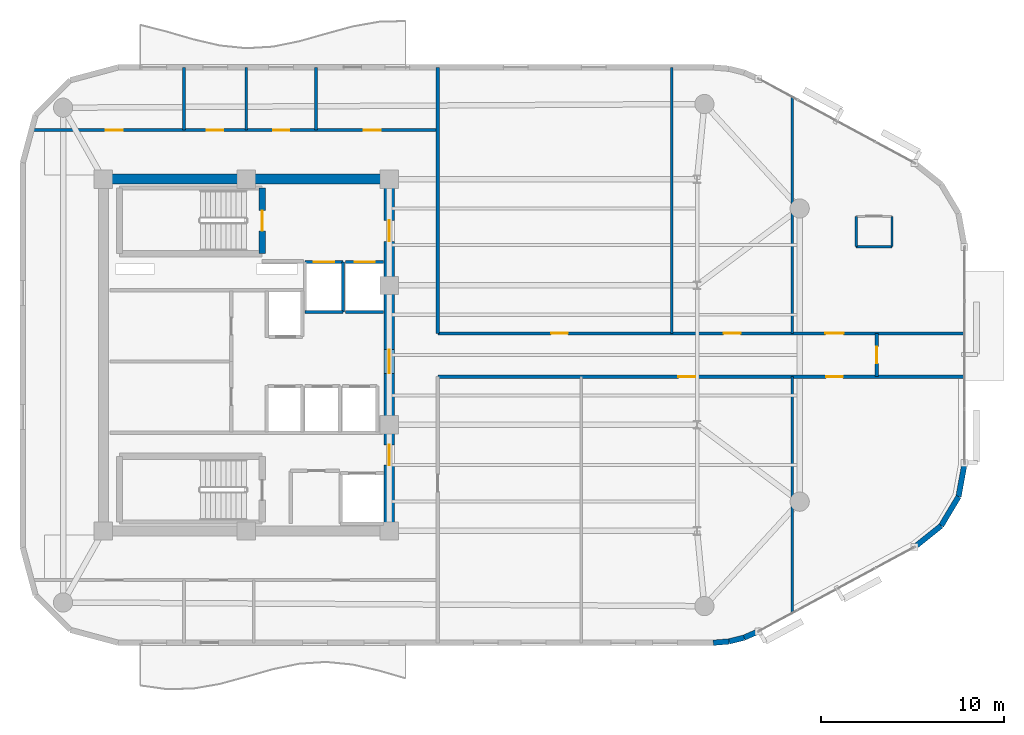
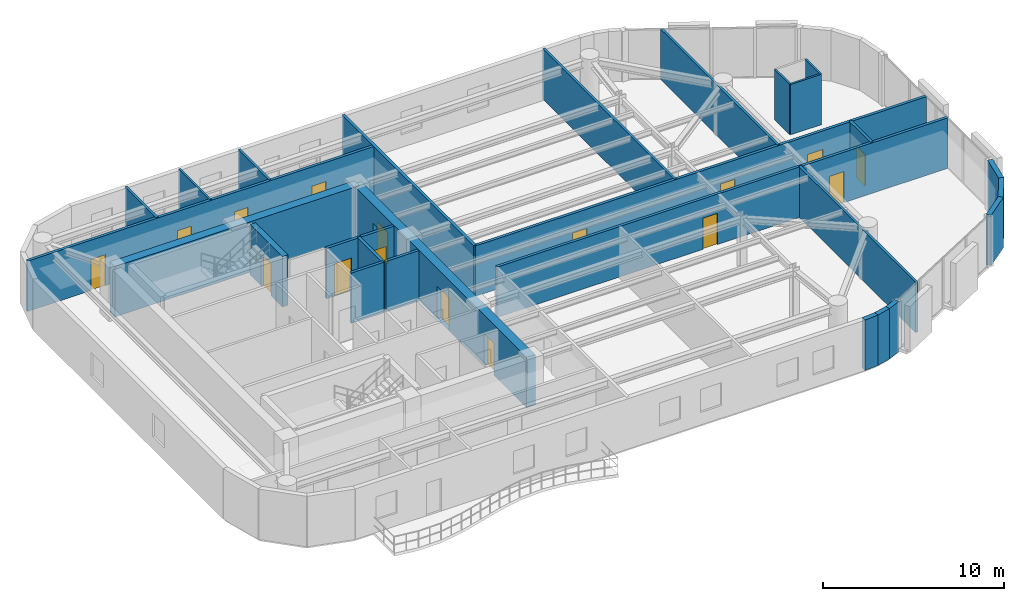
# One storey, part 10 of 13: 28 walls, 16 doors, 16 openings.
"""IFC4 building model written with IfcOpenShell, lengths in metres."""

from ifc_helpers import new_model, si_unit, direction, frame, frame_2d, origin, place, context, subcontext, project, spatial, rectangle, extrude, material, layer, layer_set, type_object, element, fill, save


model = new_model("IFC4")

# Units and contexts
model_context = context("Model", 3, precision=1e-05, world=origin(), true_north=direction((0.0, 1.0)))
body_context = subcontext(model_context, "Body", "Model", "MODEL_VIEW")
ifc_project = project(units=[si_unit("LENGTHUNIT", "METRE"), si_unit("AREAUNIT", "SQUARE_METRE"), si_unit("VOLUMEUNIT", "CUBIC_METRE"), si_unit("PLANEANGLEUNIT", "RADIAN"), si_unit("MASSUNIT", "GRAM", prefix="KILO")], contexts=[model_context])

# Site, building, storey
site_placement = place(None, origin())
site = spatial("IfcSite", under=ifc_project, at=site_placement, CompositionType="ELEMENT")
building_placement = place(site_placement, origin())
building = spatial("IfcBuilding", under=site, at=building_placement, Name="An Khanh Terracotta Commons", CompositionType="ELEMENT")
storey_placement = place(building_placement, frame((0.0, 0.0, 212.10009765625)))
storey = spatial("IfcBuildingStorey", under=building, at=storey_placement, Name="L55", CompositionType="ELEMENT", Elevation=212.10009765625)

# Wall
ifc_material_1 = material(Name="Concrete C50/60", Category="concrete")
ifc_layer_1 = layer(ifc_material_1, 0.550048828125, Name="Concrete C50/60")
ifc_layer_set_1 = layer_set([ifc_layer_1], Name="Concrete C50/60")
wall_type_1 = type_object("IfcWallType", Name="WALL-CORE-550", PredefinedType="SHEAR", material=ifc_layer_set_1)
wall_1_placement = place(storey_placement, frame((21.60009765625, 33.60009765625, 0.0), z_axis=(0.0, 0.0, 1.0), x_axis=(1.0, 0.0, 0.0)))
element("IfcWall", 1, at=wall_1_placement, inside=storey, type_object=wall_type_1, Name="L55 Core Wall CWALL-L55-N", PredefinedType="SHEAR", context=body_context, shape_type="SweptSolid", body=[
    extrude(rectangle(XDim=15.599853515625, YDim=0.550048828125, at=frame_2d((7.7998046875, 0.0))), origin(), (0.0, 0.0, 1.0), 3.39990234375),
])

# Wall, openings, doors
wall_2_placement = place(storey_placement, frame((37.199951171875, 14.39990234375, 0.0), z_axis=(0.0, 0.0, 1.0), x_axis=(0.0, 1.0, 0.0)))
wall_2 = element("IfcWall", 2, at=wall_2_placement, inside=storey, type_object=wall_type_1, Name="L55 Core Wall CWALL-L55-E", PredefinedType="SHEAR", context=body_context, shape_type="SweptSolid", body=[
    extrude(rectangle(XDim=19.2001953125, YDim=0.550048828125, at=frame_2d((9.60009765625, 0.0))), origin(), (0.0, 0.0, 1.0), 3.39990234375),
])
opening_1_placement = place(wall_2_placement, frame((15.800048828125, 0.0, 0.0)))
opening_1 = element("IfcOpeningElement", 3, at=opening_1_placement, cuts=wall_2, Name="Opening D-FFL", PredefinedType="OPENING", context=body_context, shape_type="SweptSolid", body=[
    extrude(rectangle(XDim=1.14990234375, YDim=2.14990234375, at=frame_2d((0.574951171875, 1.074951171875))), frame((0.0, 0.284912109375, 0.0), z_axis=(0.0, -1.0, 0.0), x_axis=(1.0, 0.0, 0.0)), (0.0, 0.0, 1.0), 0.570068359375),
])
opening_2_placement = place(wall_2_placement, frame((3.60009765625, 0.0, 0.0)))
opening_2 = element("IfcOpeningElement", 4, at=opening_2_placement, cuts=wall_2, Name="Opening D-ST", PredefinedType="OPENING", context=body_context, shape_type="SweptSolid", body=[
    extrude(rectangle(XDim=1.10009765625, YDim=2.14990234375, at=frame_2d((0.550048828125, 1.074951171875))), frame((0.0, 0.284912109375, 0.0), z_axis=(0.0, -1.0, 0.0), x_axis=(1.0, 0.0, 0.0)), (0.0, 0.0, 1.0), 0.570068359375),
])
opening_3_placement = place(wall_2_placement, frame((8.60009765625, 0.0, 0.0)))
opening_3 = element("IfcOpeningElement", 5, at=opening_3_placement, cuts=wall_2, Name="Opening D-COR", PredefinedType="OPENING", context=body_context, shape_type="SweptSolid", body=[
    extrude(rectangle(XDim=1.300048828125, YDim=2.199951171875, at=frame_2d((0.64990234375, 1.10009765625))), frame((0.0, 0.284912109375, 0.0), z_axis=(0.0, -1.0, 0.0), x_axis=(1.0, 0.0, 0.0)), (0.0, 0.0, 1.0), 0.570068359375),
])
ifc_material_2 = material(Name="Fire-Rated Glazed Steel Double Door", Category="steel")
door_type_1 = type_object("IfcDoorType", Name="DOOR-CORR-1300", OperationType="NOTDEFINED", PredefinedType="DOOR", material=ifc_material_2)
door_1_placement = place(opening_3_placement, origin())
door_1 = element("IfcDoor", 6, at=door_1_placement, inside=storey, type_object=door_type_1, Name="L55 Passenger Lift Lobby Double Door", OperationType="DOUBLE_DOOR_SINGLE_SWING", OverallHeight=2.199951171875, OverallWidth=1.300048828125, PredefinedType="DOOR", context=body_context, shape_type="SweptSolid", body=[
    extrude(rectangle(XDim=1.300048828125, YDim=2.199951171875, at=frame_2d((0.64990234375, 1.10009765625))), frame((0.0, 0.02490234375, 0.0), z_axis=(0.0, -1.0, 0.0), x_axis=(1.0, 0.0, 0.0)), (0.0, 0.0, 1.0), 0.050048828125),
])
fill(opening_3, door_1)
ifc_material_3 = material(Name="Fire-Rated Steel Leaf and Vision Panel", Category="steel")
door_type_2 = type_object("IfcDoorType", Name="DOOR-FFL-1150", OperationType="NOTDEFINED", PredefinedType="DOOR", material=ifc_material_3)
door_2_placement = place(opening_1_placement, origin())
door_2 = element("IfcDoor", 7, at=door_2_placement, inside=storey, type_object=door_type_2, Name="L55 Firefighting Lift Lobby Fire Door", OperationType="SINGLE_SWING_LEFT", OverallHeight=2.14990234375, OverallWidth=1.14990234375, PredefinedType="DOOR", context=body_context, shape_type="SweptSolid", body=[
    extrude(rectangle(XDim=1.14990234375, YDim=2.14990234375, at=frame_2d((0.574951171875, 1.074951171875))), frame((0.0, 0.02490234375, 0.0), z_axis=(0.0, -1.0, 0.0), x_axis=(1.0, 0.0, 0.0)), (0.0, 0.0, 1.0), 0.050048828125),
])
fill(opening_1, door_2)
ifc_material_4 = material(Name="Fire-Rated Steel Leaf and Frame", Category="steel")
door_type_3 = type_object("IfcDoorType", Name="DOOR-STAIR-1100", OperationType="NOTDEFINED", PredefinedType="DOOR", material=ifc_material_4)
door_3_placement = place(opening_2_placement, origin())
door_3 = element("IfcDoor", 8, at=door_3_placement, inside=storey, type_object=door_type_3, Name="L55 South Stair Lobby Fire Door", OperationType="SINGLE_SWING_RIGHT", OverallHeight=2.14990234375, OverallWidth=1.10009765625, PredefinedType="DOOR", context=body_context, shape_type="SweptSolid", body=[
    extrude(rectangle(XDim=1.10009765625, YDim=2.14990234375, at=frame_2d((0.550048828125, 1.074951171875))), frame((0.0, 0.02490234375, 0.0), z_axis=(0.0, -1.0, 0.0), x_axis=(1.0, 0.0, 0.0)), (0.0, 0.0, 1.0), 0.050048828125),
])
fill(opening_2, door_3)

# Wall, opening, door
ifc_material_5 = material(Name="Fire-Rated Gypsum Board on Steel Stud", Category="steel")
ifc_layer_2 = layer(ifc_material_5, 0.179931640625, Name="Fire-Rated Gypsum Board on Steel Stud")
ifc_layer_set_2 = layer_set([ifc_layer_2], Name="Fire-Rated Gypsum Board on Steel Stud")
wall_type_2 = type_object("IfcWallType", Name="WALL-CORR-180", PredefinedType="PARTITIONING", material=ifc_layer_set_2)
wall_3_placement = place(storey_placement, frame((32.60009765625, 29.080078125, 0.0), z_axis=(0.0, 0.0, 1.0), x_axis=(1.0, 0.0, 0.0)))
wall_3 = element("IfcWall", 9, at=wall_3_placement, inside=storey, type_object=wall_type_2, Name="L55 Core Wall LSH-L55-FFL-01-N", PredefinedType="PARTITIONING", context=body_context, shape_type="SweptSolid", body=[
    extrude(rectangle(XDim=2.079833984375, YDim=0.179931640625, at=frame_2d((1.0400390625, 0.0))), origin(), (0.0, 0.0, 1.0), 3.39990234375),
])
opening_4_placement = place(wall_3_placement, frame((0.489990234375, 0.0, 0.0)))
opening_4 = element("IfcOpeningElement", 10, at=opening_4_placement, cuts=wall_3, Name="Opening LD-FFL-01-L55", PredefinedType="OPENING", context=body_context, shape_type="SweptSolid", body=[
    extrude(rectangle(XDim=1.10009765625, YDim=2.199951171875, at=frame_2d((0.550048828125, 1.10009765625))), frame((0.0, 0.099853515625, 0.0), z_axis=(0.0, -1.0, 0.0), x_axis=(1.0, 0.0, 0.0)), (0.0, 0.0, 1.0), 0.199951171875),
])
ifc_material_6 = material(Name="Brushed Stainless Steel Fire Landing Door", Category="steel")
door_type_4 = type_object("IfcDoorType", Name="DOOR-LD-FFL-1100", OperationType="NOTDEFINED", PredefinedType="DOOR", material=ifc_material_6)
door_4_placement = place(opening_4_placement, origin())
door_4 = element("IfcDoor", 11, at=door_4_placement, inside=storey, type_object=door_type_4, Name="L55 Lift FFL-01 Sliding Landing Door", OperationType="DOUBLE_DOOR_SLIDING", OverallHeight=2.199951171875, OverallWidth=1.10009765625, PredefinedType="DOOR", context=body_context, shape_type="SweptSolid", body=[
    extrude(rectangle(XDim=1.10009765625, YDim=2.199951171875, at=frame_2d((0.550048828125, 1.10009765625))), frame((0.0, 0.02490234375, 0.0), z_axis=(0.0, -1.0, 0.0), x_axis=(1.0, 0.0, 0.0)), (0.0, 0.0, 1.0), 0.050048828125),
])
fill(opening_4, door_4)

# Walls
wall_4_placement = place(storey_placement, frame((34.679931640625, 26.35009765625, 0.0), z_axis=(0.0, 0.0, 1.0), x_axis=(-1.0, 0.0, 0.0)))
element("IfcWall", 12, at=wall_4_placement, inside=storey, type_object=wall_type_2, Name="L55 Core Wall LSH-L55-FFL-01-S", PredefinedType="PARTITIONING", context=body_context, shape_type="SweptSolid", body=[
    extrude(rectangle(XDim=2.079833984375, YDim=0.179931640625, at=frame_2d((1.0400390625, 0.0))), origin(), (0.0, 0.0, 1.0), 3.39990234375),
])
wall_5_placement = place(storey_placement, frame((34.679931640625, 26.35009765625, 0.0), z_axis=(0.0, 0.0, 1.0), x_axis=(0.0, 1.0, 0.0)))
element("IfcWall", 13, at=wall_5_placement, inside=storey, type_object=wall_type_2, Name="L55 Core Wall LSH-L55-FFL-01-E", PredefinedType="PARTITIONING", context=body_context, shape_type="SweptSolid", body=[
    extrude(rectangle(XDim=2.72998046875, YDim=0.179931640625, at=frame_2d((1.364990234375, 0.0))), origin(), (0.0, 0.0, 1.0), 3.39990234375),
])

# Wall, opening, door
wall_6_placement = place(storey_placement, frame((34.820068359375, 29.080078125, 0.0), z_axis=(0.0, 0.0, 1.0), x_axis=(1.0, 0.0, 0.0)))
wall_6 = element("IfcWall", 14, at=wall_6_placement, inside=storey, type_object=wall_type_2, Name="L55 Core Wall LSH-L55-FFL-02-N", PredefinedType="PARTITIONING", context=body_context, shape_type="SweptSolid", body=[
    extrude(rectangle(XDim=2.079833984375, YDim=0.179931640625, at=frame_2d((1.0400390625, 0.0))), origin(), (0.0, 0.0, 1.0), 3.39990234375),
])
opening_5_placement = place(wall_6_placement, frame((0.489990234375, 0.0, 0.0)))
opening_5 = element("IfcOpeningElement", 15, at=opening_5_placement, cuts=wall_6, Name="Opening LD-FFL-02-L55", PredefinedType="OPENING", context=body_context, shape_type="SweptSolid", body=[
    extrude(rectangle(XDim=1.10009765625, YDim=2.199951171875, at=frame_2d((0.550048828125, 1.10009765625))), frame((0.0, 0.099853515625, 0.0), z_axis=(0.0, -1.0, 0.0), x_axis=(1.0, 0.0, 0.0)), (0.0, 0.0, 1.0), 0.199951171875),
])
door_5_placement = place(opening_5_placement, origin())
door_5 = element("IfcDoor", 16, at=door_5_placement, inside=storey, type_object=door_type_4, Name="L55 Lift FFL-02 Sliding Landing Door", OperationType="DOUBLE_DOOR_SLIDING", OverallHeight=2.199951171875, OverallWidth=1.10009765625, PredefinedType="DOOR", context=body_context, shape_type="SweptSolid", body=[
    extrude(rectangle(XDim=1.10009765625, YDim=2.199951171875, at=frame_2d((0.550048828125, 1.10009765625))), frame((0.0, 0.02490234375, 0.0), z_axis=(0.0, -1.0, 0.0), x_axis=(1.0, 0.0, 0.0)), (0.0, 0.0, 1.0), 0.050048828125),
])
fill(opening_5, door_5)

# Wall
wall_7_placement = place(storey_placement, frame((36.89990234375, 26.35009765625, 0.0), z_axis=(0.0, 0.0, 1.0), x_axis=(-1.0, 0.0, 0.0)))
element("IfcWall", 17, at=wall_7_placement, inside=storey, type_object=wall_type_2, Name="L55 Core Wall LSH-L55-FFL-02-S", PredefinedType="PARTITIONING", context=body_context, shape_type="SweptSolid", body=[
    extrude(rectangle(XDim=2.079833984375, YDim=0.179931640625, at=frame_2d((1.0400390625, 0.0))), origin(), (0.0, 0.0, 1.0), 3.39990234375),
])

# Wall, openings, doors
wall_8_placement = place(storey_placement, frame((39.85009765625, 22.820068359375, 0.0), z_axis=(0.0, 0.0, 1.0), x_axis=(1.0, 0.0, 0.0)))
wall_8 = element("IfcWall", 18, at=wall_8_placement, inside=storey, type_object=wall_type_2, Name="L55 Interior Partition IW-L55-E002", PredefinedType="PARTITIONING", context=body_context, shape_type="SweptSolid", body=[
    extrude(rectangle(XDim=28.75, YDim=0.179931640625, at=frame_2d((14.375, 0.0))), origin(), (0.0, 0.0, 1.0), 3.39990234375),
])
opening_6_placement = place(wall_8_placement, frame((13.131103515625, 0.0, 0.0)))
opening_6 = element("IfcOpeningElement", 19, at=opening_6_placement, cuts=wall_8, Name="Opening D-RM", PredefinedType="OPENING", context=body_context, shape_type="SweptSolid", body=[
    extrude(rectangle(XDim=0.919921875, YDim=2.10009765625, at=frame_2d((0.4599609375, 1.050048828125))), frame((0.0, 0.099853515625, 0.0), z_axis=(0.0, -1.0, 0.0), x_axis=(1.0, 0.0, 0.0)), (0.0, 0.0, 1.0), 0.199951171875),
])
opening_7_placement = place(wall_8_placement, frame((21.18994140625, 0.0, 0.0)))
opening_7 = element("IfcOpeningElement", 20, at=opening_7_placement, cuts=wall_8, Name="Opening D-RM", PredefinedType="OPENING", context=body_context, shape_type="SweptSolid", body=[
    extrude(rectangle(XDim=0.919921875, YDim=2.10009765625, at=frame_2d((0.4599609375, 1.050048828125))), frame((0.0, 0.099853515625, 0.0), z_axis=(0.0, -1.0, 0.0), x_axis=(1.0, 0.0, 0.0)), (0.0, 0.0, 1.0), 0.199951171875),
])
ifc_material_7 = material(Name="Engineered Hardwood Timber Leaf", Category="wood")
door_type_5 = type_object("IfcDoorType", Name="DOOR-INT-920", OperationType="NOTDEFINED", PredefinedType="DOOR", material=ifc_material_7)
door_6_placement = place(opening_6_placement, origin())
door_6 = element("IfcDoor", 21, at=door_6_placement, inside=storey, type_object=door_type_5, Name="L55 SB2 Group Tutorial Meeting Room Door", OperationType="SINGLE_SWING_LEFT", OverallHeight=2.10009765625, OverallWidth=0.919921875, PredefinedType="DOOR", context=body_context, shape_type="SweptSolid", body=[
    extrude(rectangle(XDim=0.919921875, YDim=2.10009765625, at=frame_2d((0.4599609375, 1.050048828125))), frame((0.0, 0.02490234375, 0.0), z_axis=(0.0, -1.0, 0.0), x_axis=(1.0, 0.0, 0.0)), (0.0, 0.0, 1.0), 0.050048828125),
])
fill(opening_6, door_6)
door_7_placement = place(opening_7_placement, origin())
door_7 = element("IfcDoor", 22, at=door_7_placement, inside=storey, type_object=door_type_5, Name="L55 ENO2 Riverfront Reading Hall Door", OperationType="SINGLE_SWING_LEFT", OverallHeight=2.10009765625, OverallWidth=0.919921875, PredefinedType="DOOR", context=body_context, shape_type="SweptSolid", body=[
    extrude(rectangle(XDim=0.919921875, YDim=2.10009765625, at=frame_2d((0.4599609375, 1.050048828125))), frame((0.0, 0.02490234375, 0.0), z_axis=(0.0, -1.0, 0.0), x_axis=(1.0, 0.0, 0.0)), (0.0, 0.0, 1.0), 0.050048828125),
])
fill(opening_7, door_7)

wall_9_placement = place(storey_placement, frame((39.85009765625, 25.179931640625, 0.0), z_axis=(0.0, 0.0, 1.0), x_axis=(1.0, 0.0, 0.0)))
wall_9 = element("IfcWall", 23, at=wall_9_placement, inside=storey, type_object=wall_type_2, Name="L55 Interior Partition IW-L55-E003", PredefinedType="PARTITIONING", context=body_context, shape_type="SweptSolid", body=[
    extrude(rectangle(XDim=28.75, YDim=0.179931640625, at=frame_2d((14.375, 0.0))), origin(), (0.0, 0.0, 1.0), 3.39990234375),
])
opening_8_placement = place(wall_9_placement, frame((6.18505859375, 0.0, 0.0)))
opening_8 = element("IfcOpeningElement", 24, at=opening_8_placement, cuts=wall_9, Name="Opening D-RM", PredefinedType="OPENING", context=body_context, shape_type="SweptSolid", body=[
    extrude(rectangle(XDim=0.919921875, YDim=2.10009765625, at=frame_2d((0.4599609375, 1.050048828125))), frame((0.0, 0.099853515625, 0.0), z_axis=(0.0, -1.0, 0.0), x_axis=(1.0, 0.0, 0.0)), (0.0, 0.0, 1.0), 0.199951171875),
])
opening_9_placement = place(wall_9_placement, frame((15.60107421875, 0.0, 0.0)))
opening_9 = element("IfcOpeningElement", 25, at=opening_9_placement, cuts=wall_9, Name="Opening D-RM", PredefinedType="OPENING", context=body_context, shape_type="SweptSolid", body=[
    extrude(rectangle(XDim=0.919921875, YDim=2.10009765625, at=frame_2d((0.4599609375, 1.050048828125))), frame((0.0, 0.099853515625, 0.0), z_axis=(0.0, -1.0, 0.0), x_axis=(1.0, 0.0, 0.0)), (0.0, 0.0, 1.0), 0.199951171875),
])
opening_10_placement = place(wall_9_placement, frame((21.14990234375, 0.0, 0.0)))
opening_10 = element("IfcOpeningElement", 26, at=opening_10_placement, cuts=wall_9, Name="Opening D-UN", PredefinedType="OPENING", context=body_context, shape_type="SweptSolid", body=[
    extrude(rectangle(XDim=1.0, YDim=2.14990234375, at=frame_2d((0.5, 1.074951171875))), frame((0.0, 0.099853515625, 0.0), z_axis=(0.0, -1.0, 0.0), x_axis=(1.0, 0.0, 0.0)), (0.0, 0.0, 1.0), 0.199951171875),
])
door_8_placement = place(opening_8_placement, origin())
door_8 = element("IfcDoor", 27, at=door_8_placement, inside=storey, type_object=door_type_5, Name="L55 NB1 Group Tutorial Meeting Room Door", OperationType="SINGLE_SWING_RIGHT", OverallHeight=2.10009765625, OverallWidth=0.919921875, PredefinedType="DOOR", context=body_context, shape_type="SweptSolid", body=[
    extrude(rectangle(XDim=0.919921875, YDim=2.10009765625, at=frame_2d((0.4599609375, 1.050048828125))), frame((0.0, 0.02490234375, 0.0), z_axis=(0.0, -1.0, 0.0), x_axis=(1.0, 0.0, 0.0)), (0.0, 0.0, 1.0), 0.050048828125),
])
fill(opening_8, door_8)
door_9_placement = place(opening_9_placement, origin())
door_9 = element("IfcDoor", 28, at=door_9_placement, inside=storey, type_object=door_type_5, Name="L55 NB2 Group Tutorial Meeting Room Door", OperationType="SINGLE_SWING_LEFT", OverallHeight=2.10009765625, OverallWidth=0.919921875, PredefinedType="DOOR", context=body_context, shape_type="SweptSolid", body=[
    extrude(rectangle(XDim=0.919921875, YDim=2.10009765625, at=frame_2d((0.4599609375, 1.050048828125))), frame((0.0, 0.02490234375, 0.0), z_axis=(0.0, -1.0, 0.0), x_axis=(1.0, 0.0, 0.0)), (0.0, 0.0, 1.0), 0.050048828125),
])
fill(opening_9, door_9)
ifc_material_8 = material(Name="Solid-Core Hardwood Acoustic Fire Door", Category="wood")
door_type_6 = type_object("IfcDoorType", Name="DOOR-UNIT-1000", OperationType="NOTDEFINED", PredefinedType="DOOR", material=ifc_material_8)
door_10_placement = place(opening_10_placement, origin())
door_10 = element("IfcDoor", 29, at=door_10_placement, inside=storey, type_object=door_type_6, Name="L55 ENO1 Kitchenette and Studio Apartment Door", OperationType="SINGLE_SWING_RIGHT", OverallHeight=2.14990234375, OverallWidth=1.0, PredefinedType="DOOR", context=body_context, shape_type="SweptSolid", body=[
    extrude(rectangle(XDim=1.0, YDim=2.14990234375, at=frame_2d((0.5, 1.074951171875))), frame((0.0, 0.02490234375, 0.0), z_axis=(0.0, -1.0, 0.0), x_axis=(1.0, 0.0, 0.0)), (0.0, 0.0, 1.0), 0.050048828125),
])
fill(opening_10, door_10)

wall_10_placement = place(storey_placement, frame((17.677001953125, 36.280029296875, 0.0), z_axis=(0.0, 0.0, 1.0), x_axis=(1.0, 0.0, 0.0)))
wall_10 = element("IfcWall", 30, at=wall_10_placement, inside=storey, type_object=wall_type_2, Name="L55 Interior Partition IW-L55-E004", PredefinedType="PARTITIONING", context=body_context, shape_type="SweptSolid", body=[
    extrude(rectangle(XDim=22.173095703125, YDim=0.179931640625, at=frame_2d((11.08642578125, 0.0))), origin(), (0.0, 0.0, 1.0), 3.39990234375),
])
opening_11_placement = place(wall_10_placement, frame((9.572998046875, 0.0, 0.0)))
opening_11 = element("IfcOpeningElement", 31, at=opening_11_placement, cuts=wall_10, Name="Opening D-WC", PredefinedType="OPENING", context=body_context, shape_type="SweptSolid", body=[
    extrude(rectangle(XDim=0.89990234375, YDim=2.10009765625, at=frame_2d((0.449951171875, 1.050048828125))), frame((0.0, 0.099853515625, 0.0), z_axis=(0.0, -1.0, 0.0), x_axis=(1.0, 0.0, 0.0)), (0.0, 0.0, 1.0), 0.199951171875),
])
opening_12_placement = place(wall_10_placement, frame((13.193115234375, 0.0, 0.0)))
opening_12 = element("IfcOpeningElement", 32, at=opening_12_placement, cuts=wall_10, Name="Opening D-ENS", PredefinedType="OPENING", context=body_context, shape_type="SweptSolid", body=[
    extrude(rectangle(XDim=0.860107421875, YDim=2.10009765625, at=frame_2d((0.43017578125, 1.050048828125))), frame((0.0, 0.099853515625, 0.0), z_axis=(0.0, -1.0, 0.0), x_axis=(1.0, 0.0, 0.0)), (0.0, 0.0, 1.0), 0.199951171875),
])
opening_13_placement = place(wall_10_placement, frame((4.06298828125, 0.0, 0.0)))
opening_13 = element("IfcOpeningElement", 33, at=opening_13_placement, cuts=wall_10, Name="Opening D-RM", PredefinedType="OPENING", context=body_context, shape_type="SweptSolid", body=[
    extrude(rectangle(XDim=0.919921875, YDim=2.10009765625, at=frame_2d((0.4599609375, 1.050048828125))), frame((0.0, 0.099853515625, 0.0), z_axis=(0.0, -1.0, 0.0), x_axis=(1.0, 0.0, 0.0)), (0.0, 0.0, 1.0), 0.199951171875),
])
opening_14_placement = place(wall_10_placement, frame((18.1279296875, 0.0, 0.0)))
opening_14 = element("IfcOpeningElement", 34, at=opening_14_placement, cuts=wall_10, Name="Opening D-RM", PredefinedType="OPENING", context=body_context, shape_type="SweptSolid", body=[
    extrude(rectangle(XDim=0.919921875, YDim=2.10009765625, at=frame_2d((0.4599609375, 1.050048828125))), frame((0.0, 0.099853515625, 0.0), z_axis=(0.0, -1.0, 0.0), x_axis=(1.0, 0.0, 0.0)), (0.0, 0.0, 1.0), 0.199951171875),
])
ifc_material_9 = material(Name="Moisture-Resistant Hardwood Timber Leaf", Category="wood")
door_type_7 = type_object("IfcDoorType", Name="DOOR-BATH-860", OperationType="NOTDEFINED", PredefinedType="DOOR", material=ifc_material_9)
door_11_placement = place(opening_12_placement, origin())
door_11 = element("IfcDoor", 35, at=door_11_placement, inside=storey, type_object=door_type_7, Name="L55 SHW Resident Shared Shower and Washroom Door", OperationType="SINGLE_SWING_RIGHT", OverallHeight=2.10009765625, OverallWidth=0.860107421875, PredefinedType="DOOR", context=body_context, shape_type="SweptSolid", body=[
    extrude(rectangle(XDim=0.860107421875, YDim=2.10009765625, at=frame_2d((0.43017578125, 1.050048828125))), frame((0.0, 0.02490234375, 0.0), z_axis=(0.0, -1.0, 0.0), x_axis=(1.0, 0.0, 0.0)), (0.0, 0.0, 1.0), 0.050048828125),
])
fill(opening_12, door_11)
door_12_placement = place(opening_13_placement, origin())
door_12 = element("IfcDoor", 36, at=door_12_placement, inside=storey, type_object=door_type_5, Name="L55 NW1 Group Tutorial Meeting Room Door", OperationType="SINGLE_SWING_LEFT", OverallHeight=2.10009765625, OverallWidth=0.919921875, PredefinedType="DOOR", context=body_context, shape_type="SweptSolid", body=[
    extrude(rectangle(XDim=0.919921875, YDim=2.10009765625, at=frame_2d((0.4599609375, 1.050048828125))), frame((0.0, 0.02490234375, 0.0), z_axis=(0.0, -1.0, 0.0), x_axis=(1.0, 0.0, 0.0)), (0.0, 0.0, 1.0), 0.050048828125),
])
fill(opening_13, door_12)
door_13_placement = place(opening_14_placement, origin())
door_13 = element("IfcDoor", 37, at=door_13_placement, inside=storey, type_object=door_type_5, Name="L55 NWE Group Tutorial Meeting Room Door", OperationType="SINGLE_SWING_RIGHT", OverallHeight=2.10009765625, OverallWidth=0.919921875, PredefinedType="DOOR", context=body_context, shape_type="SweptSolid", body=[
    extrude(rectangle(XDim=0.919921875, YDim=2.10009765625, at=frame_2d((0.4599609375, 1.050048828125))), frame((0.0, 0.02490234375, 0.0), z_axis=(0.0, -1.0, 0.0), x_axis=(1.0, 0.0, 0.0)), (0.0, 0.0, 1.0), 0.050048828125),
])
fill(opening_14, door_13)
ifc_material_10 = material(Name="Laminate Moisture-Resistant Timber Leaf", Category="wood")
door_type_8 = type_object("IfcDoorType", Name="DOOR-WC-900", OperationType="NOTDEFINED", PredefinedType="DOOR", material=ifc_material_10)
door_14_placement = place(opening_11_placement, origin())
door_14 = element("IfcDoor", 38, at=door_14_placement, inside=storey, type_object=door_type_8, Name="L55 AWC Accessible WC Door", OperationType="SINGLE_SWING_LEFT", OverallHeight=2.10009765625, OverallWidth=0.89990234375, PredefinedType="DOOR", context=body_context, shape_type="SweptSolid", body=[
    extrude(rectangle(XDim=0.89990234375, YDim=2.10009765625, at=frame_2d((0.449951171875, 1.050048828125))), frame((0.0, 0.02490234375, 0.0), z_axis=(0.0, -1.0, 0.0), x_axis=(1.0, 0.0, 0.0)), (0.0, 0.0, 1.0), 0.050048828125),
])
fill(opening_11, door_14)

# Wall
wall_11_placement = place(storey_placement, frame((39.85009765625, 25.179931640625, 0.0), z_axis=(0.0, 0.0, 1.0), x_axis=(0.0, 1.0, 0.0)))
element("IfcWall", 39, at=wall_11_placement, inside=storey, type_object=wall_type_2, Name="L55 Interior Partition IW-L55-E011", PredefinedType="PARTITIONING", context=body_context, shape_type="SweptSolid", body=[
    extrude(rectangle(XDim=14.52001953125, YDim=0.179931640625, at=frame_2d((7.260009765625, 0.0))), origin(), (0.0, 0.0, 1.0), 3.39990234375),
])

# Wall, opening, door
wall_12_placement = place(storey_placement, frame((63.800048828125, 22.820068359375, 0.0), z_axis=(0.0, 0.0, 1.0), x_axis=(0.0, 1.0, 0.0)))
wall_12 = element("IfcWall", 40, at=wall_12_placement, inside=storey, type_object=wall_type_2, Name="L55 Interior Partition IW-L55-E016", PredefinedType="PARTITIONING", context=body_context, shape_type="SweptSolid", body=[
    extrude(rectangle(XDim=2.35986328125, YDim=0.179931640625, at=frame_2d((1.179931640625, 0.0))), origin(), (0.0, 0.0, 1.0), 3.39990234375),
])
opening_15_placement = place(wall_12_placement, frame((0.719970703125, 0.0, 0.0)))
opening_15 = element("IfcOpeningElement", 41, at=opening_15_placement, cuts=wall_12, Name="Opening D-RM", PredefinedType="OPENING", context=body_context, shape_type="SweptSolid", body=[
    extrude(rectangle(XDim=0.919921875, YDim=2.10009765625, at=frame_2d((0.4599609375, 1.050048828125))), frame((0.0, 0.099853515625, 0.0), z_axis=(0.0, -1.0, 0.0), x_axis=(1.0, 0.0, 0.0)), (0.0, 0.0, 1.0), 0.199951171875),
])
door_15_placement = place(opening_15_placement, origin())
door_15 = element("IfcDoor", 42, at=door_15_placement, inside=storey, type_object=door_type_5, Name="L55 ENO3 Quiet Focus Office Door", OperationType="SINGLE_SWING_RIGHT", OverallHeight=2.10009765625, OverallWidth=0.919921875, PredefinedType="DOOR", context=body_context, shape_type="SweptSolid", body=[
    extrude(rectangle(XDim=0.919921875, YDim=2.10009765625, at=frame_2d((0.4599609375, 1.050048828125))), frame((0.0, 0.02490234375, 0.0), z_axis=(0.0, -1.0, 0.0), x_axis=(1.0, 0.0, 0.0)), (0.0, 0.0, 1.0), 0.050048828125),
])
fill(opening_15, door_15)

# Walls
ifc_material_11 = material(Name="Precast concrete C40/50", Category="concrete")
ifc_layer_3 = layer(ifc_material_11, 0.300048828125, Name="Precast concrete C40/50")
ifc_layer_set_3 = layer_set([ifc_layer_3], Name="Precast concrete C40/50")
wall_type_3 = type_object("IfcWallType", Name="WALL-EXT-300", PredefinedType="SOLIDWALL", material=ifc_layer_set_3)
wall_13_placement = place(storey_placement, frame((54.885009765625, 8.300048828125, 0.0), z_axis=(0.0, 0.0, 1.0), x_axis=(0.996565355958, 0.082809971041, 0.0)))
element("IfcWall", 43, at=wall_13_placement, inside=storey, type_object=wall_type_3, Name="L55 Insulated Terracotta Exterior Wall 5", PredefinedType="SOLIDWALL", context=body_context, shape_type="SweptSolid", body=[
    extrude(rectangle(XDim=0.85791015625, YDim=0.300048828125, at=frame_2d((0.428955078125, 0.0))), origin(), (0.0, 0.0, 1.0), 3.39990234375),
])
wall_14_placement = place(storey_placement, frame((55.739990234375, 8.37109375, 0.0), z_axis=(0.0, 0.0, 1.0), x_axis=(0.969536346338, 0.244947490555, 0.0)))
element("IfcWall", 44, at=wall_14_placement, inside=storey, type_object=wall_type_3, Name="L55 Insulated Terracotta Exterior Wall 6", PredefinedType="SOLIDWALL", context=body_context, shape_type="SweptSolid", body=[
    extrude(rectangle(XDim=0.857177734375, YDim=0.300048828125, at=frame_2d((0.4287109375, 0.0))), origin(), (0.0, 0.0, 1.0), 3.39990234375),
])
wall_15_placement = place(storey_placement, frame((56.571044921875, 8.5810546875, 0.0), z_axis=(0.0, 0.0, 1.0), x_axis=(0.916085473636, 0.400983048261, 0.0)))
element("IfcWall", 45, at=wall_15_placement, inside=storey, type_object=wall_type_3, Name="L55 Insulated Terracotta Exterior Wall 7", PredefinedType="SOLIDWALL", context=body_context, shape_type="SweptSolid", body=[
    extrude(rectangle(XDim=0.85791015625, YDim=0.300048828125, at=frame_2d((0.428955078125, 0.0))), origin(), (0.0, 0.0, 1.0), 3.39990234375),
])
wall_16_placement = place(storey_placement, frame((65.8720703125, 13.52587890625, 0.0), z_axis=(0.0, 0.0, 1.0), x_axis=(0.780920189257, 0.624630817372, 0.0)))
element("IfcWall", 46, at=wall_16_placement, inside=storey, type_object=wall_type_3, Name="L55 Insulated Terracotta Exterior Wall 9", PredefinedType="SOLIDWALL", context=body_context, shape_type="SweptSolid", body=[
    extrude(rectangle(XDim=1.854248046875, YDim=0.300048828125, at=frame_2d((0.92724609375, 0.0))), origin(), (0.0, 0.0, 1.0), 3.39990234375),
])
wall_17_placement = place(storey_placement, frame((67.320068359375, 14.68408203125, 0.0), z_axis=(0.0, 0.0, 1.0), x_axis=(0.512072018927, 0.858942516955, 0.0)))
element("IfcWall", 47, at=wall_17_placement, inside=storey, type_object=wall_type_3, Name="L55 Insulated Terracotta Exterior Wall 10", PredefinedType="SOLIDWALL", context=body_context, shape_type="SweptSolid", body=[
    extrude(rectangle(XDim=1.853271484375, YDim=0.300048828125, at=frame_2d((0.9267578125, 0.0))), origin(), (0.0, 0.0, 1.0), 3.39990234375),
])
wall_18_placement = place(storey_placement, frame((68.26904296875, 16.27587890625, 0.0), z_axis=(0.0, 0.0, 1.0), x_axis=(0.178468469252, 0.983945631365, 0.0)))
element("IfcWall", 48, at=wall_18_placement, inside=storey, type_object=wall_type_3, Name="L55 Insulated Terracotta Exterior Wall 11", PredefinedType="SOLIDWALL", context=body_context, shape_type="SweptSolid", body=[
    extrude(rectangle(XDim=1.85498046875, YDim=0.300048828125, at=frame_2d((0.927490234375, 0.0))), origin(), (0.0, 0.0, 1.0), 3.39990234375),
])
ifc_material_12 = material(Name="Acoustic Gypsum Board Partition")
ifc_layer_4 = layer(ifc_material_12, 0.14990234375, Name="Acoustic Gypsum Board Partition")
ifc_layer_set_4 = layer_set([ifc_layer_4], Name="Acoustic Gypsum Board Partition")
wall_type_4 = type_object("IfcWallType", Name="WALL-PART-150", PredefinedType="PARTITIONING", material=ifc_layer_set_4)
for number, where, z_axis, x_axis, name in (
    (49, (26.0, 36.280029296875, 0.0), (0.0, 0.0, 1.0), (0.0, 1.0, 0.0), "L55 Interior Partition IW-L55-E006"),
    (50, (33.199951171875, 36.280029296875, 0.0), (0.0, 0.0, 1.0), (0.0, 1.0, 0.0), "L55 Interior Partition IW-L55-E009"),
):
    element("IfcWall", number, at=place(storey_placement, frame(where, z_axis=z_axis, x_axis=x_axis)), inside=storey, type_object=wall_type_4, Name=name, PredefinedType="PARTITIONING", context=body_context, shape_type="SweptSolid", body=[
        extrude(rectangle(XDim=3.419921875, YDim=0.14990234375, at=frame_2d((1.7099609375, 0.0))), origin(), (0.0, 0.0, 1.0), 3.39990234375),
    ])
wall_19_placement = place(storey_placement, frame((52.62109375, 25.179931640625, 0.0), z_axis=(0.0, 0.0, 1.0), x_axis=(0.0, 1.0, 0.0)))
element("IfcWall", 51, at=wall_19_placement, inside=storey, type_object=wall_type_4, Name="L55 Interior Partition IW-L55-E013", PredefinedType="PARTITIONING", context=body_context, shape_type="SweptSolid", body=[
    extrude(rectangle(XDim=14.52001953125, YDim=0.14990234375, at=frame_2d((7.260009765625, 0.0))), origin(), (0.0, 0.0, 1.0), 3.39990234375),
])
for number, where, z_axis, x_axis, name in (
    (52, (59.199951171875, 9.9208984375, 0.0), (0.0, 0.0, 1.0), (0.0, 1.0, 0.0), "L55 Interior Partition IW-L55-E014"),
    (53, (59.199951171875, 25.179931640625, 0.0), (0.0, 0.0, 1.0), (0.0, 1.0, 0.0), "L55 Interior Partition IW-L55-E015"),
):
    element("IfcWall", number, at=place(storey_placement, frame(where, z_axis=z_axis, x_axis=x_axis)), inside=storey, type_object=wall_type_4, Name=name, PredefinedType="PARTITIONING", context=body_context, shape_type="SweptSolid", body=[
        extrude(rectangle(XDim=12.899169921875, YDim=0.14990234375, at=frame_2d((6.44970703125, 0.0))), origin(), (0.0, 0.0, 1.0), 3.39990234375),
    ])

# Wall, opening, door
ifc_layer_5 = layer(ifc_material_1, 0.35009765625, Name="Concrete C50/60")
ifc_layer_set_5 = layer_set([ifc_layer_5], Name="Concrete C50/60")
wall_type_5 = type_object("IfcWallType", Name="WALL-SHAFT-350", PredefinedType="SOLIDWALL", material=ifc_layer_set_5)
wall_20_placement = place(storey_placement, frame((30.27001953125, 29.530029296875, 0.0), z_axis=(0.0, 0.0, 1.0), x_axis=(0.0, 1.0, 0.0)))
wall_20 = element("IfcWall", 54, at=wall_20_placement, inside=storey, type_object=wall_type_5, Name="L55 Core Wall STW-L55-N-E", PredefinedType="SOLIDWALL", context=body_context, shape_type="SweptSolid", body=[
    extrude(rectangle(XDim=3.580078125, YDim=0.35009765625, at=frame_2d((1.7900390625, 0.0))), origin(), (0.0, 0.0, 1.0), 3.39990234375),
])
opening_16_placement = place(wall_20_placement, frame((1.25, 0.0, 0.0)))
opening_16 = element("IfcOpeningElement", 55, at=opening_16_placement, cuts=wall_20, Name="Opening D-ST", PredefinedType="OPENING", context=body_context, shape_type="SweptSolid", body=[
    extrude(rectangle(XDim=1.10009765625, YDim=2.14990234375, at=frame_2d((0.550048828125, 1.074951171875))), frame((0.0, 0.18505859375, 0.0), z_axis=(0.0, -1.0, 0.0), x_axis=(1.0, 0.0, 0.0)), (0.0, 0.0, 1.0), 0.3701171875),
])
door_16_placement = place(opening_16_placement, origin())
door_16 = element("IfcDoor", 56, at=door_16_placement, inside=storey, type_object=door_type_3, Name="L55 Stair ST-01 Fire Door", OperationType="SINGLE_SWING_LEFT", OverallHeight=2.14990234375, OverallWidth=1.10009765625, PredefinedType="DOOR", context=body_context, shape_type="SweptSolid", body=[
    extrude(rectangle(XDim=1.10009765625, YDim=2.14990234375, at=frame_2d((0.550048828125, 1.074951171875))), frame((0.0, 0.02490234375, 0.0), z_axis=(0.0, -1.0, 0.0), x_axis=(1.0, 0.0, 0.0)), (0.0, 0.0, 1.0), 0.050048828125),
])
fill(opening_16, door_16)

# Walls
ifc_material_13 = material(Name="Moisture-Resistant Cement Board Partition")
ifc_layer_6 = layer(ifc_material_13, 0.1201171875, Name="Moisture-Resistant Cement Board Partition")
ifc_layer_set_6 = layer_set([ifc_layer_6], Name="Moisture-Resistant Cement Board Partition")
wall_type_6 = type_object("IfcWallType", Name="WALL-WET-120", PredefinedType="PARTITIONING", material=ifc_layer_set_6)
wall_21_placement = place(storey_placement, frame((64.635986328125, 29.9150390625, 0.0), z_axis=(0.0, 0.0, 1.0), x_axis=(-1.0, 0.0, 0.0)))
element("IfcWall", 57, at=wall_21_placement, inside=storey, type_object=wall_type_6, Name="L55 Interior Partition IW-L55-ENO1-BS", PredefinedType="PARTITIONING", context=body_context, shape_type="SweptSolid", body=[
    extrude(rectangle(XDim=1.949951171875, YDim=0.1201171875, at=frame_2d((0.97509765625, 0.0))), origin(), (0.0, 0.0, 1.0), 3.39990234375),
])
for number, where, z_axis, x_axis, name in (
    (58, (62.68603515625, 31.56494140625, 0.0), (0.0, 0.0, 1.0), (0.0, -1.0, 0.0), "L55 Interior Partition IW-L55-ENO1-BW"),
    (59, (64.635986328125, 29.9150390625, 0.0), (0.0, 0.0, 1.0), (0.0, 1.0, 0.0), "L55 Interior Partition IW-L55-ENO1-BE"),
):
    element("IfcWall", number, at=place(storey_placement, frame(where, z_axis=z_axis, x_axis=x_axis)), inside=storey, type_object=wall_type_6, Name=name, PredefinedType="PARTITIONING", context=body_context, shape_type="SweptSolid", body=[
        extrude(rectangle(XDim=1.64990234375, YDim=0.1201171875, at=frame_2d((0.824951171875, 0.0))), origin(), (0.0, 0.0, 1.0), 3.39990234375),
    ])
wall_22_placement = place(storey_placement, frame((29.39990234375, 36.280029296875, 0.0), z_axis=(0.0, 0.0, 1.0), x_axis=(0.0, 1.0, 0.0)))
element("IfcWall", 60, at=wall_22_placement, inside=storey, type_object=wall_type_6, Name="L55 Interior Partition IW-L55-E007", PredefinedType="PARTITIONING", context=body_context, shape_type="SweptSolid", body=[
    extrude(rectangle(XDim=3.419921875, YDim=0.1201171875, at=frame_2d((1.7099609375, 0.0))), origin(), (0.0, 0.0, 1.0), 3.39990234375),
])

save(model, "model.ifc")
